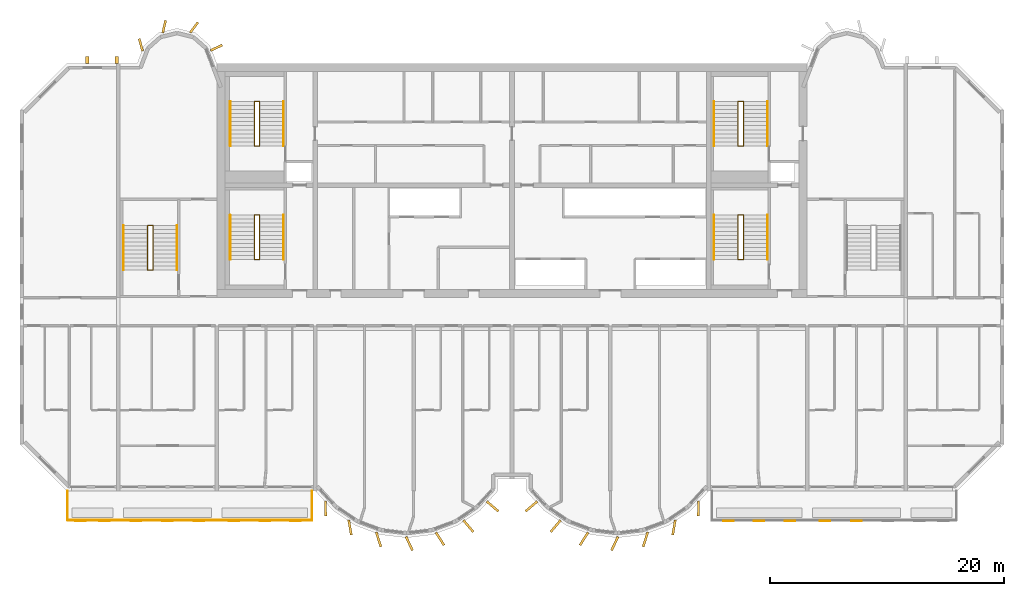
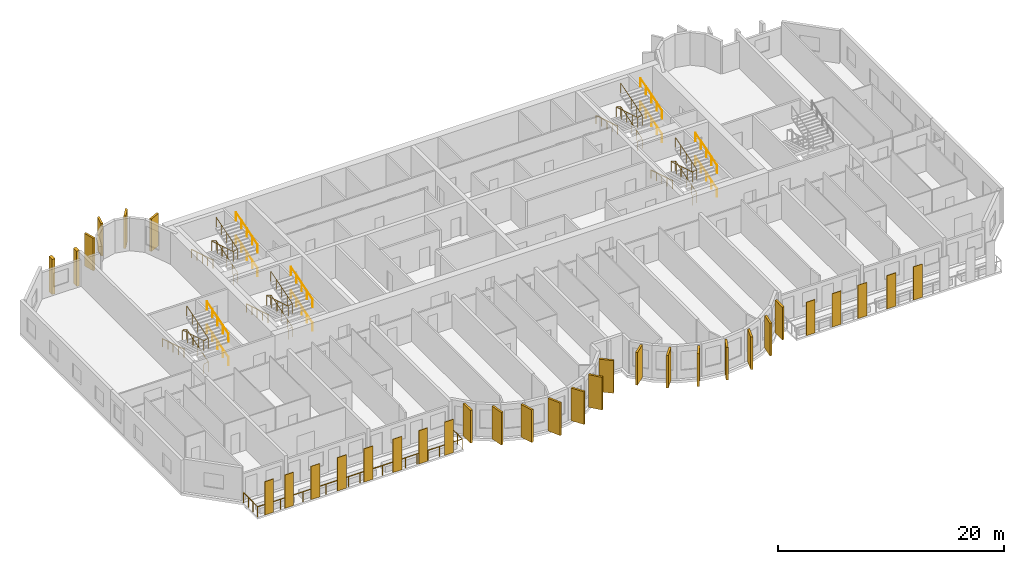
# One storey, part 11 of 13: 33 coverings, 21 railings.
"""IFC4 building model written with IfcOpenShell, lengths in metres."""

from ifc_helpers import new_model, si_unit, direction, frame, origin, origin_2d, place, context, subcontext, project, spatial, rectangle, circle, extrude, source, transform, mapped, material, layer, layer_set, material_profile, profile_set, type_object, element, save


model = new_model("IFC4")

# Units and contexts
model_context = context("Model", 3, precision=1e-05, world=origin(), true_north=direction((0.0, 1.0)))
body_context = subcontext(model_context, "Body", "Model", "MODEL_VIEW")
ifc_project = project(units=[si_unit("LENGTHUNIT", "METRE"), si_unit("AREAUNIT", "SQUARE_METRE"), si_unit("VOLUMEUNIT", "CUBIC_METRE"), si_unit("PLANEANGLEUNIT", "RADIAN"), si_unit("MASSUNIT", "GRAM", prefix="KILO")], contexts=[model_context])

# Site, building, storey
site_placement = place(None, origin())
site = spatial("IfcSite", under=ifc_project, at=site_placement, CompositionType="ELEMENT")
building_placement = place(site_placement, origin())
building = spatial("IfcBuilding", under=site, at=building_placement, Name="Vanashikhar Sky Hotel", CompositionType="ELEMENT")
storey_placement = place(building_placement, frame((0.0, 0.0, 163.0)))
storey = spatial("IfcBuildingStorey", under=building, at=storey_placement, Name="L39", CompositionType="ELEMENT", Elevation=163.0)

# Coverings
ifc_material_1 = material(Name="Terracotta", Category="masonry")
ifc_layer = layer(ifc_material_1, 0.06005859375)
ifc_layer_set = layer_set([ifc_layer], Name="Terracotta baguette screen")
covering_type_1 = type_object("IfcCoveringType", Name="Terracotta baguette screen", PredefinedType="CLADDING", material=ifc_layer_set)
shared_shape_1 = source(origin(), body_context, "Body", "SweptSolid", [
    extrude(rectangle(XDim=0.89990234375, YDim=0.06005859375, at=origin_2d()), origin(), (0.0, 0.0, 1.0), 3.60009765625),
])
for number, where, z_axis, x_axis, name in (
    (1, (13.574951171875, 2.929931640625, -0.050048828125), (0.0, 0.0, 1.0), (1.0, 0.0, 0.0), "Terracotta screen"),
    (2, (15.625, 2.929931640625, -0.050048828125), (0.0, 0.0, 1.0), (1.0, 0.0, 0.0), "Terracotta screen"),
    (3, (18.300048828125, 2.929931640625, -0.050048828125), (0.0, 0.0, 1.0), (1.0, 0.0, 0.0), "Terracotta screen"),
    (4, (21.0, 2.929931640625, -0.050048828125), (0.0, 0.0, 1.0), (1.0, 0.0, 0.0), "Terracotta screen"),
    (5, (23.699951171875, 2.929931640625, -0.050048828125), (0.0, 0.0, 1.0), (1.0, 0.0, 0.0), "Terracotta screen"),
    (6, (26.666748046875, 2.929931640625, -0.050048828125), (0.0, 0.0, 1.0), (1.0, 0.0, 0.0), "Terracotta screen"),
    (7, (29.300048828125, 2.929931640625, -0.050048828125), (0.0, 0.0, 1.0), (1.0, 0.0, 0.0), "Terracotta screen"),
    (8, (31.933349609375, 2.929931640625, -0.050048828125), (0.0, 0.0, 1.0), (1.0, 0.0, 0.0), "Terracotta screen"),
    (9, (68.86669921875, 2.929931640625, -0.050048828125), (0.0, 0.0, 1.0), (1.0, 0.0, 0.0), "Terracotta screen"),
    (10, (71.5, 2.929931640625, -0.050048828125), (0.0, 0.0, 1.0), (1.0, 0.0, 0.0), "Terracotta screen"),
    (11, (74.13330078125, 2.929931640625, -0.050048828125), (0.0, 0.0, 1.0), (1.0, 0.0, 0.0), "Terracotta screen"),
    (12, (77.10009765625, 2.929931640625, -0.050048828125), (0.0, 0.0, 1.0), (1.0, 0.0, 0.0), "Terracotta screen"),
    (13, (79.800048828125, 2.929931640625, -0.050048828125), (0.0, 0.0, 1.0), (1.0, 0.0, 0.0), "Terracotta screen"),
):
    element("IfcCovering", number, at=place(storey_placement, frame(where, z_axis=z_axis, x_axis=x_axis)), inside=storey, type_object=covering_type_1, Name=name, PredefinedType="CLADDING", context=body_context, shape_type="MappedRepresentation", body=[
        mapped(shared_shape_1, transform((0.0, 0.0, 0.0), scale=1.0)),
    ])
ifc_material_2 = material(Name="Concrete M60 dark", Category="concrete")
ifc_material_profile_1 = material_profile(ifc_material_2, rectangle(XDim=1.300048828125, YDim=0.199951171875, at=origin_2d()))
ifc_profile_set_1 = profile_set([ifc_material_profile_1], Name="Fin 1300 x 200")
covering_type_2 = type_object("IfcCoveringType", Name="Fin 1300 x 200", PredefinedType="CLADDING", material=ifc_profile_set_1)
shared_shape_2 = source(origin(), body_context, "Body", "SweptSolid", [
    extrude(rectangle(XDim=1.300048828125, YDim=0.199951171875, at=origin_2d()), origin(), (0.0, 0.0, 1.0), 3.52001953125),
])
for number, where, z_axis, x_axis, name in (
    (14, (34.482421875, 3.992919921875, 0.0), (0.0, 0.0, 1.0), (0.011588726826, -0.999932848451, 0.0), "Fin F1-1"),
    (15, (36.572509765625, 2.3779296875, 0.0), (0.0, 0.0, 1.0), (0.16989991575, -0.985461322746, 0.0), "Fin F1-2"),
    (16, (39.00830078125, 1.35693359375, 0.0), (0.0, 0.0, 1.0), (0.303966551867, -0.952682704444, 0.0), "Fin F1-3"),
    (17, (41.63232421875, 1.00146484375, 0.0), (0.0, 0.0, 1.0), (0.422618261741, -0.906307787037, 0.0), "Fin F1-4"),
    (18, (44.251953125, 1.416015625, 0.0), (0.0, 0.0, 1.0), (0.534411358496, -0.845224526331, 0.0), "Fin F1-5"),
    (19, (46.676025390625, 2.5, 0.0), (0.0, 0.0, 1.0), (0.645697609467, -0.763593214433, 0.0), "Fin F1-6"),
    (20, (48.7412109375, 4.1845703125, 0.0), (0.0, 0.0, 1.0), (0.758543912032, -0.65162192529, 0.0), "Fin F1-7"),
    (21, (52.058837890625, 4.1845703125, 0.0), (0.0, 0.0, 1.0), (-0.758543912032, -0.65162192529, 0.0), "Fin F2-1"),
    (22, (54.123779296875, 2.5, 0.0), (0.0, 0.0, 1.0), (-0.645697609467, -0.763593214433, 0.0), "Fin F2-2"),
    (23, (56.547119140625, 1.416015625, 0.0), (0.0, 0.0, 1.0), (-0.534411358496, -0.845224526331, 0.0), "Fin F2-3"),
    (24, (59.16748046875, 1.00146484375, 0.0), (0.0, 0.0, 1.0), (-0.422618261741, -0.906307787037, 0.0), "Fin F2-4"),
    (25, (61.790771484375, 1.35693359375, 0.0), (0.0, 0.0, 1.0), (-0.303966551867, -0.952682704444, 0.0), "Fin F2-5"),
    (26, (64.2275390625, 2.3779296875, 0.0), (0.0, 0.0, 1.0), (-0.16989991575, -0.985461322746, 0.0), "Fin F2-6"),
    (27, (66.317626953125, 3.992919921875, 0.0), (0.0, 0.0, 1.0), (-0.011588726826, -0.999932848451, 0.0), "Fin F2-7"),
):
    element("IfcCovering", number, at=place(storey_placement, frame(where, z_axis=z_axis, x_axis=x_axis)), inside=storey, type_object=covering_type_2, Name=name, PredefinedType="CLADDING", context=body_context, shape_type="MappedRepresentation", body=[
        mapped(shared_shape_2, transform((0.0, 0.0, 0.0), scale=1.0)),
    ])
ifc_material_profile_2 = material_profile(ifc_material_2, rectangle(XDim=1.10009765625, YDim=0.199951171875, at=origin_2d()))
ifc_profile_set_2 = profile_set([ifc_material_profile_2], Name="Rear lobe fin 1100 x 200")
covering_type_3 = type_object("IfcCoveringType", Name="Rear lobe fin 1100 x 200", PredefinedType="CLADDING", material=ifc_profile_set_2)
shared_shape_3 = source(origin(), body_context, "Body", "SweptSolid", [
    extrude(rectangle(XDim=1.10009765625, YDim=0.199951171875, at=origin_2d()), origin(), (0.0, 0.0, 1.0), 3.52001953125),
])
for number, where, z_axis, x_axis, name in (
    (28, (18.720703125, 43.580078125, 0.0), (0.0, 0.0, 1.0), (-0.262711264409, 0.964874495234, 0.0), "Fin R1-1"),
    (29, (20.710205078125, 45.1455078125, 0.0), (0.0, 0.0, 1.0), (0.224644935864, 0.974440687159, 0.0), "Fin R1-2"),
    (30, (23.261962890625, 45.06640625, 0.0), (0.0, 0.0, 1.0), (0.602065892195, 0.798446404874, 0.0), "Fin R1-3"),
    (31, (25.169677734375, 43.33447265625, 0.0), (0.0, 0.0, 1.0), (0.908004291068, 0.418960866193, 0.0), "Fin R1-4"),
):
    element("IfcCovering", number, at=place(storey_placement, frame(where, z_axis=z_axis, x_axis=x_axis)), inside=storey, type_object=covering_type_3, Name=name, PredefinedType="CLADDING", context=body_context, shape_type="MappedRepresentation", body=[
        mapped(shared_shape_3, transform((0.0, 0.0, 0.0), scale=1.0)),
    ])

# Railing
ifc_material_3 = material(Name="Stainless steel 316", Category="steel")
railing_type_1 = type_object("IfcRailingType", Name="Balcony guard 1100", PredefinedType="GUARDRAIL", material=ifc_material_3)
shared_shape_4 = source(origin(), body_context, "Body", "SweptSolid", [
    extrude(circle(Radius=0.02392578125, at=origin_2d()), frame((0.0, 0.0, 1.076171875), z_axis=(0.0, -1.0, 0.0), x_axis=(1.0, 0.0, 0.0)), (0.0, 0.0, 1.0), 2.5),
    extrude(circle(Radius=0.02392578125, at=origin_2d()), frame((0.0, -2.5, 1.076171875), z_axis=(1.0, 0.0, 0.0), x_axis=(0.0, 1.0, 0.0)), (0.0, 0.0, 1.0), 20.880126953125),
    extrude(circle(Radius=0.02392578125, at=origin_2d()), frame((20.880126953125, -2.5, 1.076171875), z_axis=(0.0, 1.0, 0.0), x_axis=(-1.0, 0.0, 0.0)), (0.0, 0.0, 1.0), 2.5),
    extrude(circle(Radius=0.02099609375, at=origin_2d()), origin(), (0.0, 0.0, 1.0), 1.052001953125),
    extrude(circle(Radius=0.02099609375, at=origin_2d()), frame((0.0, -0.833251953125, 0.0)), (0.0, 0.0, 1.0), 1.052001953125),
    extrude(circle(Radius=0.02099609375, at=origin_2d()), frame((0.0, -1.666748046875, 0.0)), (0.0, 0.0, 1.0), 1.052001953125),
    extrude(circle(Radius=0.02099609375, at=origin_2d()), frame((0.0, -2.5, 0.0)), (0.0, 0.0, 1.0), 1.052001953125),
    extrude(circle(Radius=0.02099609375, at=origin_2d()), frame((1.159912109375, -2.5, 0.0)), (0.0, 0.0, 1.0), 1.052001953125),
    extrude(circle(Radius=0.02099609375, at=origin_2d()), frame((2.320068359375, -2.5, 0.0)), (0.0, 0.0, 1.0), 1.052001953125),
    extrude(circle(Radius=0.02099609375, at=origin_2d()), frame((3.47998046875, -2.5, 0.0)), (0.0, 0.0, 1.0), 1.052001953125),
    extrude(circle(Radius=0.02099609375, at=origin_2d()), frame((4.64013671875, -2.5, 0.0)), (0.0, 0.0, 1.0), 1.052001953125),
    extrude(circle(Radius=0.02099609375, at=origin_2d()), frame((5.800048828125, -2.5, 0.0)), (0.0, 0.0, 1.0), 1.052001953125),
    extrude(circle(Radius=0.02099609375, at=origin_2d()), frame((6.9599609375, -2.5, 0.0)), (0.0, 0.0, 1.0), 1.052001953125),
    extrude(circle(Radius=0.02099609375, at=origin_2d()), frame((8.1201171875, -2.5, 0.0)), (0.0, 0.0, 1.0), 1.052001953125),
    extrude(circle(Radius=0.02099609375, at=origin_2d()), frame((9.280029296875, -2.5, 0.0)), (0.0, 0.0, 1.0), 1.052001953125),
    extrude(circle(Radius=0.02099609375, at=origin_2d()), frame((10.43994140625, -2.5, 0.0)), (0.0, 0.0, 1.0), 1.052001953125),
    extrude(circle(Radius=0.02099609375, at=origin_2d()), frame((11.60009765625, -2.5, 0.0)), (0.0, 0.0, 1.0), 1.052001953125),
    extrude(circle(Radius=0.02099609375, at=origin_2d()), frame((12.760009765625, -2.5, 0.0)), (0.0, 0.0, 1.0), 1.052001953125),
    extrude(circle(Radius=0.02099609375, at=origin_2d()), frame((13.920166015625, -2.5, 0.0)), (0.0, 0.0, 1.0), 1.052001953125),
    extrude(circle(Radius=0.02099609375, at=origin_2d()), frame((15.080078125, -2.5, 0.0)), (0.0, 0.0, 1.0), 1.052001953125),
    extrude(circle(Radius=0.02099609375, at=origin_2d()), frame((16.239990234375, -2.5, 0.0)), (0.0, 0.0, 1.0), 1.052001953125),
    extrude(circle(Radius=0.02099609375, at=origin_2d()), frame((17.400146484375, -2.5, 0.0)), (0.0, 0.0, 1.0), 1.052001953125),
    extrude(circle(Radius=0.02099609375, at=origin_2d()), frame((18.56005859375, -2.5, 0.0)), (0.0, 0.0, 1.0), 1.052001953125),
    extrude(circle(Radius=0.02099609375, at=origin_2d()), frame((19.72021484375, -2.5, 0.0)), (0.0, 0.0, 1.0), 1.052001953125),
    extrude(circle(Radius=0.02099609375, at=origin_2d()), frame((20.880126953125, -2.5, 0.0)), (0.0, 0.0, 1.0), 1.052001953125),
    extrude(circle(Radius=0.02099609375, at=origin_2d()), frame((20.880126953125, -1.666748046875, 0.0)), (0.0, 0.0, 1.0), 1.052001953125),
    extrude(circle(Radius=0.02099609375, at=origin_2d()), frame((20.880126953125, -0.833251953125, 0.0)), (0.0, 0.0, 1.0), 1.052001953125),
    extrude(circle(Radius=0.02099609375, at=origin_2d()), frame((20.880126953125, 0.0, 0.0)), (0.0, 0.0, 1.0), 1.052001953125),
])
railing_1_placement = place(storey_placement, frame((12.4599609375, 5.5, -0.050048828125)))
element("IfcRailing", 32, at=railing_1_placement, inside=storey, type_object=railing_type_1, Name="Balcony guard", PredefinedType="GUARDRAIL", context=body_context, shape_type="MappedRepresentation", body=[
    mapped(shared_shape_4, transform((0.0, 0.0, 0.0), scale=1.0)),
])

# Coverings
ifc_material_profile_3 = material_profile(ifc_material_2, rectangle(XDim=0.60009765625, YDim=0.300048828125, at=origin_2d()))
ifc_profile_set_3 = profile_set([ifc_material_profile_3], Name="Rear rib 600 x 300")
covering_type_4 = type_object("IfcCoveringType", Name="Rear rib 600 x 300", PredefinedType="CLADDING", material=ifc_profile_set_3)
shared_shape_5 = source(origin(), body_context, "Body", "SweptSolid", [
    extrude(rectangle(XDim=0.60009765625, YDim=0.300048828125, at=origin_2d()), origin(), (0.0, 0.0, 1.0), 3.800048828125),
])
for number, where, z_axis, x_axis, name in (
    (33, (14.14990234375, 42.300048828125, -0.280029296875), (0.0, 0.0, 1.0), (0.0, 1.0, 0.0), "Rear rib"),
    (34, (16.64990234375, 42.300048828125, -0.280029296875), (0.0, 0.0, 1.0), (0.0, 1.0, 0.0), "Rear rib"),
):
    element("IfcCovering", number, at=place(storey_placement, frame(where, z_axis=z_axis, x_axis=x_axis)), inside=storey, type_object=covering_type_4, Name=name, PredefinedType="CLADDING", context=body_context, shape_type="MappedRepresentation", body=[
        mapped(shared_shape_5, transform((0.0, 0.0, 0.0), scale=1.0)),
    ])

# Railings
ifc_material_4 = material(Name="Steel S355", Category="steel")
railing_type_2 = type_object("IfcRailingType", Name="Stair handrail 900", PredefinedType="HANDRAIL", material=ifc_material_4)
shared_shape_6 = source(origin(), body_context, "Body", "SweptSolid", [
    extrude(circle(Radius=0.02392578125, at=origin_2d()), frame((0.0, 0.0, 0.8759765625), z_axis=(0.0, 0.95635109408, 0.292220096591), x_axis=(-1.0, 0.0, 0.0)), (0.0, 0.0, 1.0), 3.973388671875),
    extrude(circle(Radius=0.02099609375, at=origin_2d()), origin(), (0.0, 0.0, 1.0), 0.851806640625),
    extrude(circle(Radius=0.02099609375, at=origin_2d()), frame((0.0, 0.949951171875, 0.290283203125)), (0.0, 0.0, 1.0), 0.851806640625),
    extrude(circle(Radius=0.02099609375, at=origin_2d()), frame((0.0, 1.89990234375, 0.58056640625)), (0.0, 0.0, 1.0), 0.851806640625),
    extrude(circle(Radius=0.02099609375, at=origin_2d()), frame((0.0, 2.85009765625, 0.870849609375)), (0.0, 0.0, 1.0), 0.851806640625),
    extrude(circle(Radius=0.02099609375, at=origin_2d()), frame((0.0, 3.800048828125, 1.1611328125)), (0.0, 0.0, 1.0), 0.851806640625),
])
for number, where, name in (
    (35, (30.89990234375, 25.25, 0.10546875), "Exit stair 1 handrail"),
    (36, (30.89990234375, 25.25, 2.638916015625), "Exit stair 1 handrail"),
    (37, (72.199951171875, 25.25, 0.10546875), "Exit stair 2 handrail"),
    (38, (72.199951171875, 25.25, 2.638916015625), "Exit stair 2 handrail"),
    (39, (30.89990234375, 34.949951171875, 0.10546875), "Exit stair 5 handrail"),
    (40, (30.89990234375, 34.949951171875, 2.638916015625), "Exit stair 5 handrail"),
    (41, (72.199951171875, 34.949951171875, 0.10546875), "Exit stair 6 handrail"),
    (42, (72.199951171875, 34.949951171875, 2.638916015625), "Exit stair 6 handrail"),
):
    element("IfcRailing", number, at=place(storey_placement, frame(where)), inside=storey, type_object=railing_type_2, Name=name, PredefinedType="HANDRAIL", context=body_context, shape_type="MappedRepresentation", body=[
        mapped(shared_shape_6, transform((0.0, 0.0, 0.0), scale=1.0)),
    ])
shared_shape_7 = source(origin(), body_context, "Body", "SweptSolid", [
    extrude(circle(Radius=0.02392578125, at=origin_2d()), frame((0.0, 0.0, 0.8759765625), z_axis=(0.0, -0.95635109408, 0.292220096591), x_axis=(1.0, 0.0, 0.0)), (0.0, 0.0, 1.0), 3.973388671875),
    extrude(circle(Radius=0.02099609375, at=origin_2d()), origin(), (0.0, 0.0, 1.0), 0.851806640625),
    extrude(circle(Radius=0.02099609375, at=origin_2d()), frame((0.0, -0.949951171875, 0.290283203125)), (0.0, 0.0, 1.0), 0.851806640625),
    extrude(circle(Radius=0.02099609375, at=origin_2d()), frame((0.0, -1.89990234375, 0.58056640625)), (0.0, 0.0, 1.0), 0.851806640625),
    extrude(circle(Radius=0.02099609375, at=origin_2d()), frame((0.0, -2.85009765625, 0.870849609375)), (0.0, 0.0, 1.0), 0.851806640625),
    extrude(circle(Radius=0.02099609375, at=origin_2d()), frame((0.0, -3.800048828125, 1.1611328125)), (0.0, 0.0, 1.0), 0.851806640625),
])
for number, where, name in (
    (43, (26.35009765625, 29.050048828125, 1.372314453125), "Exit stair 1 handrail"),
    (44, (67.64990234375, 29.050048828125, 1.372314453125), "Exit stair 2 handrail"),
    (45, (26.35009765625, 38.75, 1.372314453125), "Exit stair 5 handrail"),
    (46, (67.64990234375, 38.75, 1.372314453125), "Exit stair 6 handrail"),
):
    element("IfcRailing", number, at=place(storey_placement, frame(where)), inside=storey, type_object=railing_type_2, Name=name, PredefinedType="HANDRAIL", context=body_context, shape_type="MappedRepresentation", body=[
        mapped(shared_shape_7, transform((0.0, 0.0, 0.0), scale=1.0)),
    ])
railing_type_3 = type_object("IfcRailingType", Name="Stair guard 1100", PredefinedType="GUARDRAIL", material=ifc_material_4)
shared_shape_8 = source(origin(), body_context, "Body", "SweptSolid", [
    extrude(circle(Radius=0.02392578125, at=origin_2d()), frame((0.0, 0.0, 1.076171875), z_axis=(0.973638301096, 0.0, 0.228097476179), x_axis=(0.0, 1.0, 0.0)), (0.0, 0.0, 1.0), 0.46240234375),
    extrude(circle(Radius=0.02392578125, at=origin_2d()), frame((0.4501953125, 0.0, 1.181640625), z_axis=(0.0, 0.95635109408, 0.292220096591), x_axis=(-1.0, 0.0, 0.0)), (0.0, 0.0, 1.0), 3.973388671875),
    extrude(circle(Radius=0.02392578125, at=origin_2d()), frame((0.4501953125, 3.800048828125, 2.3427734375), z_axis=(-0.973520925263, 0.0, 0.228597917917), x_axis=(0.0, -1.0, 0.0)), (0.0, 0.0, 1.0), 0.46240234375),
    extrude(circle(Radius=0.02392578125, at=origin_2d()), frame((0.0, 3.800048828125, 2.4482421875), z_axis=(0.0, -0.95635109408, 0.292220096591), x_axis=(1.0, 0.0, 0.0)), (0.0, 0.0, 1.0), 3.973388671875),
    extrude(circle(Radius=0.02392578125, at=origin_2d()), frame((0.0, 0.0, 3.609375), z_axis=(0.973638301096, 0.0, 0.228097476179), x_axis=(0.0, 1.0, 0.0)), (0.0, 0.0, 1.0), 0.46240234375),
    extrude(circle(Radius=0.02392578125, at=origin_2d()), frame((0.4501953125, 0.0, 3.71484375), z_axis=(0.0, 0.95635109408, 0.292220096591), x_axis=(-1.0, 0.0, 0.0)), (0.0, 0.0, 1.0), 3.973388671875),
    extrude(circle(Radius=0.02099609375, at=origin_2d()), origin(), (0.0, 0.0, 1.0), 1.052001953125),
    extrude(circle(Radius=0.02099609375, at=origin_2d()), frame((0.4501953125, 0.0, 0.10546875)), (0.0, 0.0, 1.0), 1.052001953125),
    extrude(circle(Radius=0.02099609375, at=origin_2d()), frame((0.4501953125, 0.949951171875, 0.395751953125)), (0.0, 0.0, 1.0), 1.052001953125),
    extrude(circle(Radius=0.02099609375, at=origin_2d()), frame((0.4501953125, 1.89990234375, 0.68603515625)), (0.0, 0.0, 1.0), 1.052001953125),
    extrude(circle(Radius=0.02099609375, at=origin_2d()), frame((0.4501953125, 2.85009765625, 0.976318359375)), (0.0, 0.0, 1.0), 1.052001953125),
    extrude(circle(Radius=0.02099609375, at=origin_2d()), frame((0.4501953125, 3.800048828125, 1.2666015625)), (0.0, 0.0, 1.0), 1.052001953125),
    extrude(circle(Radius=0.02099609375, at=origin_2d()), frame((0.0, 3.800048828125, 1.372314453125)), (0.0, 0.0, 1.0), 1.052001953125),
    extrude(circle(Radius=0.02099609375, at=origin_2d()), frame((0.0, 2.85009765625, 1.66259765625)), (0.0, 0.0, 1.0), 1.052001953125),
    extrude(circle(Radius=0.02099609375, at=origin_2d()), frame((0.0, 1.89990234375, 1.952880859375)), (0.0, 0.0, 1.0), 1.052001953125),
    extrude(circle(Radius=0.02099609375, at=origin_2d()), frame((0.0, 0.949951171875, 2.2431640625)), (0.0, 0.0, 1.0), 1.052001953125),
    extrude(circle(Radius=0.02099609375, at=origin_2d()), frame((0.0, 0.0, 2.533447265625)), (0.0, 0.0, 1.0), 1.052001953125),
    extrude(circle(Radius=0.02099609375, at=origin_2d()), frame((0.4501953125, 0.0, 2.638916015625)), (0.0, 0.0, 1.0), 1.052001953125),
    extrude(circle(Radius=0.02099609375, at=origin_2d()), frame((0.4501953125, 0.949951171875, 2.92919921875)), (0.0, 0.0, 1.0), 1.052001953125),
    extrude(circle(Radius=0.02099609375, at=origin_2d()), frame((0.4501953125, 1.89990234375, 3.219482421875)), (0.0, 0.0, 1.0), 1.052001953125),
    extrude(circle(Radius=0.02099609375, at=origin_2d()), frame((0.4501953125, 2.85009765625, 3.509765625)), (0.0, 0.0, 1.0), 1.052001953125),
    extrude(circle(Radius=0.02099609375, at=origin_2d()), frame((0.4501953125, 3.800048828125, 3.800048828125)), (0.0, 0.0, 1.0), 1.052001953125),
])
for number, where, name in (
    (47, (28.39990234375, 25.25, 0.0), "Exit stair 1 guard"),
    (48, (28.39990234375, 34.949951171875, 0.0), "Exit stair 5 guard"),
):
    element("IfcRailing", number, at=place(storey_placement, frame(where)), inside=storey, type_object=railing_type_3, Name=name, PredefinedType="GUARDRAIL", context=body_context, shape_type="MappedRepresentation", body=[
        mapped(shared_shape_8, transform((0.0, 0.0, 0.0), scale=1.0)),
    ])
shared_shape_9 = source(origin(), body_context, "Body", "SweptSolid", [
    extrude(circle(Radius=0.02392578125, at=origin_2d()), frame((0.0, 0.0, 1.076171875), z_axis=(0.973610808694, 0.0, 0.228214796178), x_axis=(0.0, 1.0, 0.0)), (0.0, 0.0, 1.0), 0.462158203125),
    extrude(circle(Radius=0.02392578125, at=origin_2d()), frame((0.449951171875, 0.0, 1.181640625), z_axis=(0.0, 0.95635109408, 0.292220096591), x_axis=(-1.0, 0.0, 0.0)), (0.0, 0.0, 1.0), 3.973388671875),
    extrude(circle(Radius=0.02392578125, at=origin_2d()), frame((0.449951171875, 3.800048828125, 2.3427734375), z_axis=(-0.973493315427, 0.0, 0.228715466945), x_axis=(0.0, -1.0, 0.0)), (0.0, 0.0, 1.0), 0.462158203125),
    extrude(circle(Radius=0.02392578125, at=origin_2d()), frame((0.0, 3.800048828125, 2.4482421875), z_axis=(0.0, -0.95635109408, 0.292220096591), x_axis=(1.0, 0.0, 0.0)), (0.0, 0.0, 1.0), 3.973388671875),
    extrude(circle(Radius=0.02392578125, at=origin_2d()), frame((0.0, 0.0, 3.609375), z_axis=(0.973610808694, 0.0, 0.228214796178), x_axis=(0.0, 1.0, 0.0)), (0.0, 0.0, 1.0), 0.462158203125),
    extrude(circle(Radius=0.02392578125, at=origin_2d()), frame((0.449951171875, 0.0, 3.71484375), z_axis=(0.0, 0.95635109408, 0.292220096591), x_axis=(-1.0, 0.0, 0.0)), (0.0, 0.0, 1.0), 3.973388671875),
    extrude(circle(Radius=0.02099609375, at=origin_2d()), origin(), (0.0, 0.0, 1.0), 1.052001953125),
    extrude(circle(Radius=0.02099609375, at=origin_2d()), frame((0.449951171875, 0.0, 0.10546875)), (0.0, 0.0, 1.0), 1.052001953125),
    extrude(circle(Radius=0.02099609375, at=origin_2d()), frame((0.449951171875, 0.949951171875, 0.395751953125)), (0.0, 0.0, 1.0), 1.052001953125),
    extrude(circle(Radius=0.02099609375, at=origin_2d()), frame((0.449951171875, 1.89990234375, 0.68603515625)), (0.0, 0.0, 1.0), 1.052001953125),
    extrude(circle(Radius=0.02099609375, at=origin_2d()), frame((0.449951171875, 2.85009765625, 0.976318359375)), (0.0, 0.0, 1.0), 1.052001953125),
    extrude(circle(Radius=0.02099609375, at=origin_2d()), frame((0.449951171875, 3.800048828125, 1.2666015625)), (0.0, 0.0, 1.0), 1.052001953125),
    extrude(circle(Radius=0.02099609375, at=origin_2d()), frame((0.0, 3.800048828125, 1.372314453125)), (0.0, 0.0, 1.0), 1.052001953125),
    extrude(circle(Radius=0.02099609375, at=origin_2d()), frame((0.0, 2.85009765625, 1.66259765625)), (0.0, 0.0, 1.0), 1.052001953125),
    extrude(circle(Radius=0.02099609375, at=origin_2d()), frame((0.0, 1.89990234375, 1.952880859375)), (0.0, 0.0, 1.0), 1.052001953125),
    extrude(circle(Radius=0.02099609375, at=origin_2d()), frame((0.0, 0.949951171875, 2.2431640625)), (0.0, 0.0, 1.0), 1.052001953125),
    extrude(circle(Radius=0.02099609375, at=origin_2d()), frame((0.0, 0.0, 2.533447265625)), (0.0, 0.0, 1.0), 1.052001953125),
    extrude(circle(Radius=0.02099609375, at=origin_2d()), frame((0.449951171875, 0.0, 2.638916015625)), (0.0, 0.0, 1.0), 1.052001953125),
    extrude(circle(Radius=0.02099609375, at=origin_2d()), frame((0.449951171875, 0.949951171875, 2.92919921875)), (0.0, 0.0, 1.0), 1.052001953125),
    extrude(circle(Radius=0.02099609375, at=origin_2d()), frame((0.449951171875, 1.89990234375, 3.219482421875)), (0.0, 0.0, 1.0), 1.052001953125),
    extrude(circle(Radius=0.02099609375, at=origin_2d()), frame((0.449951171875, 2.85009765625, 3.509765625)), (0.0, 0.0, 1.0), 1.052001953125),
    extrude(circle(Radius=0.02099609375, at=origin_2d()), frame((0.449951171875, 3.800048828125, 3.800048828125)), (0.0, 0.0, 1.0), 1.052001953125),
])
for number, where, name in (
    (49, (69.699951171875, 25.25, 0.0), "Exit stair 2 guard"),
    (50, (69.699951171875, 34.949951171875, 0.0), "Exit stair 6 guard"),
):
    element("IfcRailing", number, at=place(storey_placement, frame(where)), inside=storey, type_object=railing_type_3, Name=name, PredefinedType="GUARDRAIL", context=body_context, shape_type="MappedRepresentation", body=[
        mapped(shared_shape_9, transform((0.0, 0.0, 0.0), scale=1.0)),
    ])
shared_shape_10 = source(origin(), body_context, "Body", "SweptSolid", [
    extrude(circle(Radius=0.02392578125, at=origin_2d()), frame((0.0, 0.0, 0.8759765625), z_axis=(0.0, 0.956345846891, 0.292237268557), x_axis=(-1.0, 0.0, 0.0)), (0.0, 0.0, 1.0), 3.97314453125),
    extrude(circle(Radius=0.02099609375, at=origin_2d()), origin(), (0.0, 0.0, 1.0), 0.851806640625),
    extrude(circle(Radius=0.02099609375, at=origin_2d()), frame((0.0, 0.949951171875, 0.290283203125)), (0.0, 0.0, 1.0), 0.851806640625),
    extrude(circle(Radius=0.02099609375, at=origin_2d()), frame((0.0, 1.89990234375, 0.58056640625)), (0.0, 0.0, 1.0), 0.851806640625),
    extrude(circle(Radius=0.02099609375, at=origin_2d()), frame((0.0, 2.849853515625, 0.870849609375)), (0.0, 0.0, 1.0), 0.851806640625),
    extrude(circle(Radius=0.02099609375, at=origin_2d()), frame((0.0, 3.7998046875, 1.1611328125)), (0.0, 0.0, 1.0), 0.851806640625),
])
for number, where, name in (
    (51, (21.800048828125, 24.35009765625, 0.10546875), "Exit stair 3 handrail"),
    (52, (21.800048828125, 24.35009765625, 2.638916015625), "Exit stair 3 handrail"),
):
    element("IfcRailing", number, at=place(storey_placement, frame(where)), inside=storey, type_object=railing_type_2, Name=name, PredefinedType="HANDRAIL", context=body_context, shape_type="MappedRepresentation", body=[
        mapped(shared_shape_10, transform((0.0, 0.0, 0.0), scale=1.0)),
    ])
shared_shape_11 = source(origin(), body_context, "Body", "SweptSolid", [
    extrude(circle(Radius=0.02392578125, at=origin_2d()), frame((0.0, 0.0, 0.8759765625), z_axis=(0.0, -0.956345846891, 0.292237268557), x_axis=(1.0, 0.0, 0.0)), (0.0, 0.0, 1.0), 3.97314453125),
    extrude(circle(Radius=0.02099609375, at=origin_2d()), origin(), (0.0, 0.0, 1.0), 0.851806640625),
    extrude(circle(Radius=0.02099609375, at=origin_2d()), frame((0.0, -0.949951171875, 0.290283203125)), (0.0, 0.0, 1.0), 0.851806640625),
    extrude(circle(Radius=0.02099609375, at=origin_2d()), frame((0.0, -1.89990234375, 0.58056640625)), (0.0, 0.0, 1.0), 0.851806640625),
    extrude(circle(Radius=0.02099609375, at=origin_2d()), frame((0.0, -2.849853515625, 0.870849609375)), (0.0, 0.0, 1.0), 0.851806640625),
    extrude(circle(Radius=0.02099609375, at=origin_2d()), frame((0.0, -3.7998046875, 1.1611328125)), (0.0, 0.0, 1.0), 0.851806640625),
])
railing_2_placement = place(storey_placement, frame((17.25, 28.14990234375, 1.372314453125)))
element("IfcRailing", 53, at=railing_2_placement, inside=storey, type_object=railing_type_2, Name="Exit stair 3 handrail", PredefinedType="HANDRAIL", context=body_context, shape_type="MappedRepresentation", body=[
    mapped(shared_shape_11, transform((0.0, 0.0, 0.0), scale=1.0)),
])
shared_shape_12 = source(origin(), body_context, "Body", "SweptSolid", [
    extrude(circle(Radius=0.02392578125, at=origin_2d()), frame((0.0, 0.0, 1.076171875), z_axis=(0.973610808694, 0.0, 0.228214796178), x_axis=(0.0, 1.0, 0.0)), (0.0, 0.0, 1.0), 0.462158203125),
    extrude(circle(Radius=0.02392578125, at=origin_2d()), frame((0.449951171875, 0.0, 1.181640625), z_axis=(0.0, 0.956345846891, 0.292237268557), x_axis=(-1.0, 0.0, 0.0)), (0.0, 0.0, 1.0), 3.97314453125),
    extrude(circle(Radius=0.02392578125, at=origin_2d()), frame((0.449951171875, 3.7998046875, 2.3427734375), z_axis=(-0.973493315427, 0.0, 0.228715466945), x_axis=(0.0, -1.0, 0.0)), (0.0, 0.0, 1.0), 0.462158203125),
    extrude(circle(Radius=0.02392578125, at=origin_2d()), frame((0.0, 3.7998046875, 2.4482421875), z_axis=(0.0, -0.956345846891, 0.292237268557), x_axis=(1.0, 0.0, 0.0)), (0.0, 0.0, 1.0), 3.97314453125),
    extrude(circle(Radius=0.02392578125, at=origin_2d()), frame((0.0, 0.0, 3.609375), z_axis=(0.973610808694, 0.0, 0.228214796178), x_axis=(0.0, 1.0, 0.0)), (0.0, 0.0, 1.0), 0.462158203125),
    extrude(circle(Radius=0.02392578125, at=origin_2d()), frame((0.449951171875, 0.0, 3.71484375), z_axis=(0.0, 0.956345846891, 0.292237268557), x_axis=(-1.0, 0.0, 0.0)), (0.0, 0.0, 1.0), 3.97314453125),
    extrude(circle(Radius=0.02099609375, at=origin_2d()), origin(), (0.0, 0.0, 1.0), 1.052001953125),
    extrude(circle(Radius=0.02099609375, at=origin_2d()), frame((0.449951171875, 0.0, 0.10546875)), (0.0, 0.0, 1.0), 1.052001953125),
    extrude(circle(Radius=0.02099609375, at=origin_2d()), frame((0.449951171875, 0.949951171875, 0.395751953125)), (0.0, 0.0, 1.0), 1.052001953125),
    extrude(circle(Radius=0.02099609375, at=origin_2d()), frame((0.449951171875, 1.89990234375, 0.68603515625)), (0.0, 0.0, 1.0), 1.052001953125),
    extrude(circle(Radius=0.02099609375, at=origin_2d()), frame((0.449951171875, 2.849853515625, 0.976318359375)), (0.0, 0.0, 1.0), 1.052001953125),
    extrude(circle(Radius=0.02099609375, at=origin_2d()), frame((0.449951171875, 3.7998046875, 1.2666015625)), (0.0, 0.0, 1.0), 1.052001953125),
    extrude(circle(Radius=0.02099609375, at=origin_2d()), frame((0.0, 3.7998046875, 1.372314453125)), (0.0, 0.0, 1.0), 1.052001953125),
    extrude(circle(Radius=0.02099609375, at=origin_2d()), frame((0.0, 2.849853515625, 1.66259765625)), (0.0, 0.0, 1.0), 1.052001953125),
    extrude(circle(Radius=0.02099609375, at=origin_2d()), frame((0.0, 1.89990234375, 1.952880859375)), (0.0, 0.0, 1.0), 1.052001953125),
    extrude(circle(Radius=0.02099609375, at=origin_2d()), frame((0.0, 0.949951171875, 2.2431640625)), (0.0, 0.0, 1.0), 1.052001953125),
    extrude(circle(Radius=0.02099609375, at=origin_2d()), frame((0.0, 0.0, 2.533447265625)), (0.0, 0.0, 1.0), 1.052001953125),
    extrude(circle(Radius=0.02099609375, at=origin_2d()), frame((0.449951171875, 0.0, 2.638916015625)), (0.0, 0.0, 1.0), 1.052001953125),
    extrude(circle(Radius=0.02099609375, at=origin_2d()), frame((0.449951171875, 0.949951171875, 2.92919921875)), (0.0, 0.0, 1.0), 1.052001953125),
    extrude(circle(Radius=0.02099609375, at=origin_2d()), frame((0.449951171875, 1.89990234375, 3.219482421875)), (0.0, 0.0, 1.0), 1.052001953125),
    extrude(circle(Radius=0.02099609375, at=origin_2d()), frame((0.449951171875, 2.849853515625, 3.509765625)), (0.0, 0.0, 1.0), 1.052001953125),
    extrude(circle(Radius=0.02099609375, at=origin_2d()), frame((0.449951171875, 3.7998046875, 3.800048828125)), (0.0, 0.0, 1.0), 1.052001953125),
])
railing_3_placement = place(storey_placement, frame((19.300048828125, 24.35009765625, 0.0)))
element("IfcRailing", 54, at=railing_3_placement, inside=storey, type_object=railing_type_3, Name="Exit stair 3 guard", PredefinedType="GUARDRAIL", context=body_context, shape_type="MappedRepresentation", body=[
    mapped(shared_shape_12, transform((0.0, 0.0, 0.0), scale=1.0)),
])

save(model, "model.ifc")
